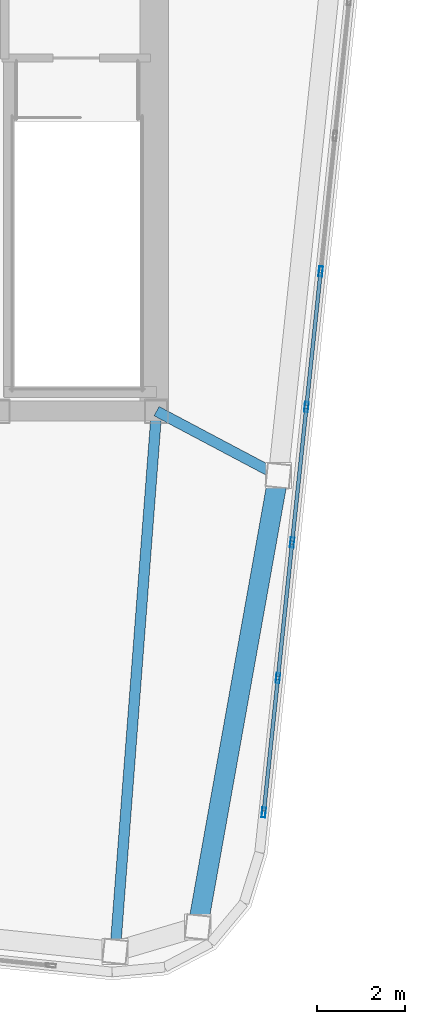
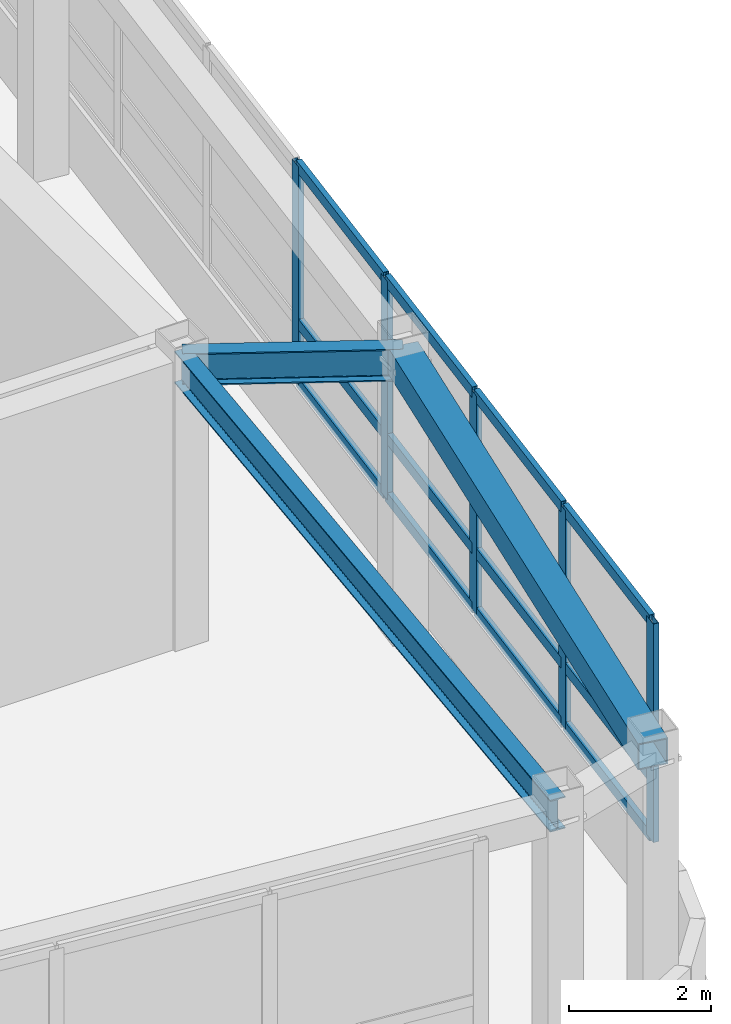
# One storey, part 11 of 21: 17 members, 3 beams, 1 element without a shape of its own.
"""IFC4 building model written with IfcOpenShell, lengths in metres."""

from ifc_helpers import new_model, si_unit, direction, frame, origin, origin_2d, place, context, subcontext, project, spatial, hollow_rectangle, i_section, extrude, material, layer, layer_set, material_profile, profile_set, type_object, element, aggregate, save


model = new_model("IFC4")

# Units and contexts
model_context = context("Model", 3, precision=1e-05, world=origin(), true_north=direction((0.0, 1.0)))
body_context = subcontext(model_context, "Body", "Model", "MODEL_VIEW")
ifc_project = project(units=[si_unit("LENGTHUNIT", "METRE"), si_unit("AREAUNIT", "SQUARE_METRE"), si_unit("VOLUMEUNIT", "CUBIC_METRE"), si_unit("PLANEANGLEUNIT", "RADIAN"), si_unit("MASSUNIT", "GRAM", prefix="KILO")], contexts=[model_context])

# Site, building, storey
site_placement = place(None, origin())
site = spatial("IfcSite", under=ifc_project, at=site_placement, CompositionType="ELEMENT")
building_placement = place(site_placement, origin())
building = spatial("IfcBuilding", under=site, at=building_placement, Name="Voryun Gate Residences", CompositionType="ELEMENT")
storey_placement = place(building_placement, frame((0.0, 0.0, 337.199951171875)))
storey = spatial("IfcBuildingStorey", under=building, at=storey_placement, Name="L82", CompositionType="ELEMENT", Elevation=337.199951171875)

# Beams
ifc_material_1 = material(Name="Steel SM355", Category="steel")
ifc_material_profile_1 = material_profile(ifc_material_1, hollow_rectangle(XDim=0.449951171875, YDim=0.449951171875, WallThickness=0.01806640625, at=origin_2d()), Name="BOX-450x450x18")
ifc_profile_set_1 = profile_set([ifc_material_profile_1], Name="Steel SM355")
beam_type_1 = type_object("IfcBeamType", Name="BM_CROWN_RING", PredefinedType="BEAM", material=ifc_profile_set_1)
beam_1_placement = place(storey_placement, frame((20.1328125, -19.083984375, 4.735107421875), z_axis=(0.175791452213, 0.984427430199, 0.0), x_axis=(-0.984427430199, 0.175791452213, 0.0)))
element("IfcBeam", 1, at=beam_1_placement, inside=storey, type_object=beam_type_1, Name="BM-L82-SPAND-07", PredefinedType="BEAM", context=body_context, shape_type="SweptSolid", body=[
    extrude(hollow_rectangle(XDim=0.449951171875, YDim=0.449951171875, WallThickness=0.01806640625, at=origin_2d()), origin(), (0.0, 0.0, 1.0), 10.384033203125),
])
ifc_material_2 = material(Name="Steel SM355", Category="steel")
ifc_material_profile_2 = material_profile(ifc_material_2, i_section(OverallWidth=0.239990234375, OverallDepth=0.550048828125, WebThickness=0.011962890625, FlangeThickness=0.02001953125, FilletRadius=0.01806640625, at=origin_2d()), Name="H-550x240x12x20")
ifc_profile_set_2 = profile_set([ifc_material_profile_2], Name="Steel SM355")
beam_type_2 = type_object("IfcBeamType", Name="BM_GIRD_550", PredefinedType="USERDEFINED", material=ifc_profile_set_2)
beam_2_placement = place(storey_placement, frame((19.199951171875, -7.39990234375, 4.68505859375), z_axis=(-0.076459214337, -0.997072709757, 0.0), x_axis=(0.997072709757, -0.076459214337, 0.0)))
element("IfcBeam", 2, at=beam_2_placement, inside=storey, type_object=beam_type_2, Name="BM-L82-RAD-S6", ObjectType="GIRDER", PredefinedType="USERDEFINED", context=body_context, shape_type="SweptSolid", body=[
    extrude(i_section(OverallWidth=0.239990234375, OverallDepth=0.550048828125, WebThickness=0.011962890625, FlangeThickness=0.02001953125, FilletRadius=0.01806640625, at=origin_2d()), origin(), (0.0, 0.0, 1.0), 12.274169921875),
])
beam_3_placement = place(storey_placement, frame((19.199951171875, -7.39990234375, 4.68505859375), z_axis=(0.883603317059, -0.468236241745, 0.0), x_axis=(0.468236241745, 0.883603317059, 0.0)))
element("IfcBeam", 3, at=beam_3_placement, inside=storey, type_object=beam_type_2, Name="BM-L82-RAD-E1", ObjectType="GIRDER", PredefinedType="USERDEFINED", context=body_context, shape_type="SweptSolid", body=[
    extrude(i_section(OverallWidth=0.239990234375, OverallDepth=0.550048828125, WebThickness=0.011962890625, FlangeThickness=0.02001953125, FilletRadius=0.01806640625, at=origin_2d()), origin(), (0.0, 0.0, 1.0), 3.12158203125),
])

# Curtain wall, members
ifc_material_3 = material(Name="Anodised aluminium", Category="aluminium")
ifc_layer = layer(ifc_material_3, 0.22998046875, Name="CW_SYS_LANTERN_DARK_GLASS")
ifc_layer_set = layer_set([ifc_layer], Name="Anodised aluminium")
curtain_wall_type = type_object("IfcCurtainWallType", Name="CW_SYS_LANTERN_DARK_GLASS", PredefinedType="NOTDEFINED", material=ifc_layer_set)
curtain_wall_placement = place(storey_placement, origin())
curtain_wall = element("IfcCurtainWall", 4, at=curtain_wall_placement, inside=storey, type_object=curtain_wall_type, Name="Curtain wall CW6-L82-16", PredefinedType="NOTDEFINED")
ifc_material_4 = material(Name="Anodised aluminium", Category="aluminium")
ifc_material_profile_3 = material_profile(ifc_material_4, hollow_rectangle(XDim=0.0849609375, YDim=0.22998046875, WallThickness=0.006103515625, at=origin_2d()), Name="ALU-MULL-230x85x6")
ifc_profile_set_3 = profile_set([ifc_material_profile_3], Name="Anodised aluminium")
member_type_1 = type_object("IfcMemberType", Name="CW_MULL_LANT", PredefinedType="MULLION", material=ifc_profile_set_3)
member_1_placement = place(storey_placement, frame((22.917236328125, -4.234375, 1.18994140625), z_axis=(0.0, 0.0, 1.0), x_axis=(0.994521943608, -0.104528004296, 0.0)))
member_1 = element("IfcMember", 5, at=member_1_placement, type_object=member_type_1, Name="CW6 mullion 6", PredefinedType="MULLION", context=body_context, shape_type="SweptSolid", body=[
    extrude(hollow_rectangle(XDim=0.0849609375, YDim=0.22998046875, WallThickness=0.006103515625, at=origin_2d()), origin(), (0.0, 0.0, 1.0), 3.77001953125),
])
member_2_placement = place(storey_placement, frame((22.594482421875, -7.305419921875, 1.18994140625), z_axis=(0.0, 0.0, 1.0), x_axis=(0.994521943608, -0.104528004296, 0.0)))
member_2 = element("IfcMember", 6, at=member_2_placement, type_object=member_type_1, Name="CW6 mullion 7", PredefinedType="MULLION", context=body_context, shape_type="SweptSolid", body=[
    extrude(hollow_rectangle(XDim=0.0849609375, YDim=0.22998046875, WallThickness=0.006103515625, at=origin_2d()), origin(), (0.0, 0.0, 1.0), 3.77001953125),
])
member_3_placement = place(storey_placement, frame((22.271728515625, -10.376220703125, 1.18994140625), z_axis=(0.0, 0.0, 1.0), x_axis=(0.994521943608, -0.104528004296, 0.0)))
member_3 = element("IfcMember", 7, at=member_3_placement, type_object=member_type_1, Name="CW6 mullion 8", PredefinedType="MULLION", context=body_context, shape_type="SweptSolid", body=[
    extrude(hollow_rectangle(XDim=0.0849609375, YDim=0.22998046875, WallThickness=0.006103515625, at=origin_2d()), origin(), (0.0, 0.0, 1.0), 3.77001953125),
])
member_4_placement = place(storey_placement, frame((21.948974609375, -13.447265625, 1.18994140625), z_axis=(0.0, 0.0, 1.0), x_axis=(0.994521943608, -0.104528004296, 0.0)))
member_4 = element("IfcMember", 8, at=member_4_placement, type_object=member_type_1, Name="CW6 mullion 9", PredefinedType="MULLION", context=body_context, shape_type="SweptSolid", body=[
    extrude(hollow_rectangle(XDim=0.0849609375, YDim=0.22998046875, WallThickness=0.006103515625, at=origin_2d()), origin(), (0.0, 0.0, 1.0), 3.77001953125),
])
member_5_placement = place(storey_placement, frame((21.629150390625, -16.48828125, 1.18994140625), z_axis=(0.0, 0.0, 1.0), x_axis=(0.994521943608, -0.104528004296, 0.0)))
member_5 = element("IfcMember", 9, at=member_5_placement, type_object=member_type_1, Name="CW6 mullion 10", PredefinedType="MULLION", context=body_context, shape_type="SweptSolid", body=[
    extrude(hollow_rectangle(XDim=0.0849609375, YDim=0.22998046875, WallThickness=0.006103515625, at=origin_2d()), origin(), (0.0, 0.0, 1.0), 3.77001953125),
])
ifc_material_5 = material(Name="Anodised aluminium", Category="aluminium")
ifc_material_profile_4 = material_profile(ifc_material_5, hollow_rectangle(XDim=0.0849609375, YDim=0.18994140625, WallThickness=0.006103515625, at=origin_2d()), Name="ALU-TRAN-190x85x6")
ifc_profile_set_4 = profile_set([ifc_material_profile_4], Name="Anodised aluminium")
member_type_2 = type_object("IfcMemberType", Name="CW_TRAN_LANT", PredefinedType="USERDEFINED", material=ifc_profile_set_4)
member_6_placement = place(storey_placement, frame((22.9140625, -4.26416015625, 1.219970703125), z_axis=(-0.104500100479, -0.994524876009, 0.0), x_axis=(0.994524876009, -0.104500100479, 0.0)))
member_6 = element("IfcMember", 10, at=member_6_placement, type_object=member_type_2, Name="CW6 transom 6.1", ObjectType="TRANSOM", PredefinedType="USERDEFINED", context=body_context, shape_type="SweptSolid", body=[
    extrude(hollow_rectangle(XDim=0.0849609375, YDim=0.18994140625, WallThickness=0.006103515625, at=origin_2d()), origin(), (0.0, 0.0, 1.0), 3.02783203125),
])
member_7_placement = place(storey_placement, frame((22.9140625, -4.26416015625, 2.239990234375), z_axis=(-0.104500100479, -0.994524876009, 0.0), x_axis=(0.994524876009, -0.104500100479, 0.0)))
member_7 = element("IfcMember", 11, at=member_7_placement, type_object=member_type_2, Name="CW6 transom 6.2", ObjectType="TRANSOM", PredefinedType="USERDEFINED", context=body_context, shape_type="SweptSolid", body=[
    extrude(hollow_rectangle(XDim=0.0849609375, YDim=0.18994140625, WallThickness=0.006103515625, at=origin_2d()), origin(), (0.0, 0.0, 1.0), 3.02783203125),
])
member_8_placement = place(storey_placement, frame((22.9140625, -4.26416015625, 4.929931640625), z_axis=(-0.104500100479, -0.994524876009, 0.0), x_axis=(0.994524876009, -0.104500100479, 0.0)))
member_8 = element("IfcMember", 12, at=member_8_placement, type_object=member_type_2, Name="CW6 transom 6.3", ObjectType="TRANSOM", PredefinedType="USERDEFINED", context=body_context, shape_type="SweptSolid", body=[
    extrude(hollow_rectangle(XDim=0.0849609375, YDim=0.18994140625, WallThickness=0.006103515625, at=origin_2d()), origin(), (0.0, 0.0, 1.0), 3.02783203125),
])
member_9_placement = place(storey_placement, frame((22.59130859375, -7.335205078125, 1.219970703125), z_axis=(-0.104579851732, -0.994516492881, 0.0), x_axis=(0.994516492881, -0.104579851732, 0.0)))
member_9 = element("IfcMember", 13, at=member_9_placement, type_object=member_type_2, Name="CW6 transom 7.1", ObjectType="TRANSOM", PredefinedType="USERDEFINED", context=body_context, shape_type="SweptSolid", body=[
    extrude(hollow_rectangle(XDim=0.0849609375, YDim=0.18994140625, WallThickness=0.006103515625, at=origin_2d()), origin(), (0.0, 0.0, 1.0), 3.02783203125),
])
member_10_placement = place(storey_placement, frame((22.59130859375, -7.335205078125, 2.239990234375), z_axis=(-0.104579851732, -0.994516492881, 0.0), x_axis=(0.994516492881, -0.104579851732, 0.0)))
member_10 = element("IfcMember", 14, at=member_10_placement, type_object=member_type_2, Name="CW6 transom 7.2", ObjectType="TRANSOM", PredefinedType="USERDEFINED", context=body_context, shape_type="SweptSolid", body=[
    extrude(hollow_rectangle(XDim=0.0849609375, YDim=0.18994140625, WallThickness=0.006103515625, at=origin_2d()), origin(), (0.0, 0.0, 1.0), 3.02783203125),
])
member_11_placement = place(storey_placement, frame((22.59130859375, -7.335205078125, 4.929931640625), z_axis=(-0.104579851732, -0.994516492881, 0.0), x_axis=(0.994516492881, -0.104579851732, 0.0)))
member_11 = element("IfcMember", 15, at=member_11_placement, type_object=member_type_2, Name="CW6 transom 7.3", ObjectType="TRANSOM", PredefinedType="USERDEFINED", context=body_context, shape_type="SweptSolid", body=[
    extrude(hollow_rectangle(XDim=0.0849609375, YDim=0.18994140625, WallThickness=0.006103515625, at=origin_2d()), origin(), (0.0, 0.0, 1.0), 3.02783203125),
])
member_12_placement = place(storey_placement, frame((22.2685546875, -10.406005859375, 1.219970703125), z_axis=(-0.104579851732, -0.994516492881, 0.0), x_axis=(0.994516492881, -0.104579851732, 0.0)))
member_12 = element("IfcMember", 16, at=member_12_placement, type_object=member_type_2, Name="CW6 transom 8.1", ObjectType="TRANSOM", PredefinedType="USERDEFINED", context=body_context, shape_type="SweptSolid", body=[
    extrude(hollow_rectangle(XDim=0.0849609375, YDim=0.18994140625, WallThickness=0.006103515625, at=origin_2d()), origin(), (0.0, 0.0, 1.0), 3.02783203125),
])
member_13_placement = place(storey_placement, frame((22.2685546875, -10.406005859375, 2.239990234375), z_axis=(-0.104579851732, -0.994516492881, 0.0), x_axis=(0.994516492881, -0.104579851732, 0.0)))
member_13 = element("IfcMember", 17, at=member_13_placement, type_object=member_type_2, Name="CW6 transom 8.2", ObjectType="TRANSOM", PredefinedType="USERDEFINED", context=body_context, shape_type="SweptSolid", body=[
    extrude(hollow_rectangle(XDim=0.0849609375, YDim=0.18994140625, WallThickness=0.006103515625, at=origin_2d()), origin(), (0.0, 0.0, 1.0), 3.02783203125),
])
member_14_placement = place(storey_placement, frame((22.2685546875, -10.406005859375, 4.929931640625), z_axis=(-0.104579851732, -0.994516492881, 0.0), x_axis=(0.994516492881, -0.104579851732, 0.0)))
member_14 = element("IfcMember", 18, at=member_14_placement, type_object=member_type_2, Name="CW6 transom 8.3", ObjectType="TRANSOM", PredefinedType="USERDEFINED", context=body_context, shape_type="SweptSolid", body=[
    extrude(hollow_rectangle(XDim=0.0849609375, YDim=0.18994140625, WallThickness=0.006103515625, at=origin_2d()), origin(), (0.0, 0.0, 1.0), 3.02783203125),
])
member_15_placement = place(storey_placement, frame((21.94580078125, -13.47705078125, 1.219970703125), z_axis=(-0.104566085446, -0.994517940398, 0.0), x_axis=(0.994517940398, -0.104566085446, 0.0)))
member_15 = element("IfcMember", 19, at=member_15_placement, type_object=member_type_2, Name="CW6 transom 9.1", ObjectType="TRANSOM", PredefinedType="USERDEFINED", context=body_context, shape_type="SweptSolid", body=[
    extrude(hollow_rectangle(XDim=0.0849609375, YDim=0.18994140625, WallThickness=0.006103515625, at=origin_2d()), origin(), (0.0, 0.0, 1.0), 2.997802734375),
])
member_16_placement = place(storey_placement, frame((21.94580078125, -13.47705078125, 2.239990234375), z_axis=(-0.104566085446, -0.994517940398, 0.0), x_axis=(0.994517940398, -0.104566085446, 0.0)))
member_16 = element("IfcMember", 20, at=member_16_placement, type_object=member_type_2, Name="CW6 transom 9.2", ObjectType="TRANSOM", PredefinedType="USERDEFINED", context=body_context, shape_type="SweptSolid", body=[
    extrude(hollow_rectangle(XDim=0.0849609375, YDim=0.18994140625, WallThickness=0.006103515625, at=origin_2d()), origin(), (0.0, 0.0, 1.0), 2.997802734375),
])
member_17_placement = place(storey_placement, frame((21.94580078125, -13.47705078125, 4.929931640625), z_axis=(-0.104566085446, -0.994517940398, 0.0), x_axis=(0.994517940398, -0.104566085446, 0.0)))
member_17 = element("IfcMember", 21, at=member_17_placement, type_object=member_type_2, Name="CW6 transom 9.3", ObjectType="TRANSOM", PredefinedType="USERDEFINED", context=body_context, shape_type="SweptSolid", body=[
    extrude(hollow_rectangle(XDim=0.0849609375, YDim=0.18994140625, WallThickness=0.006103515625, at=origin_2d()), origin(), (0.0, 0.0, 1.0), 2.997802734375),
])
aggregate(curtain_wall, [member_1, member_2, member_3, member_4, member_5, member_6, member_7, member_8, member_9, member_10, member_11, member_12, member_13, member_14, member_15, member_16, member_17])

save(model, "model.ifc")
